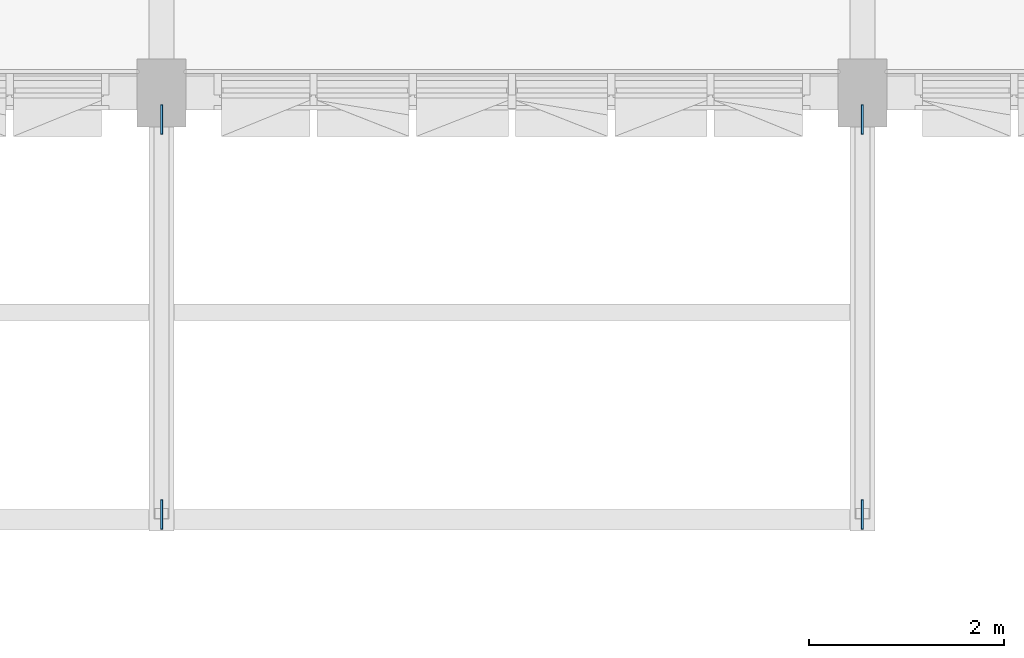
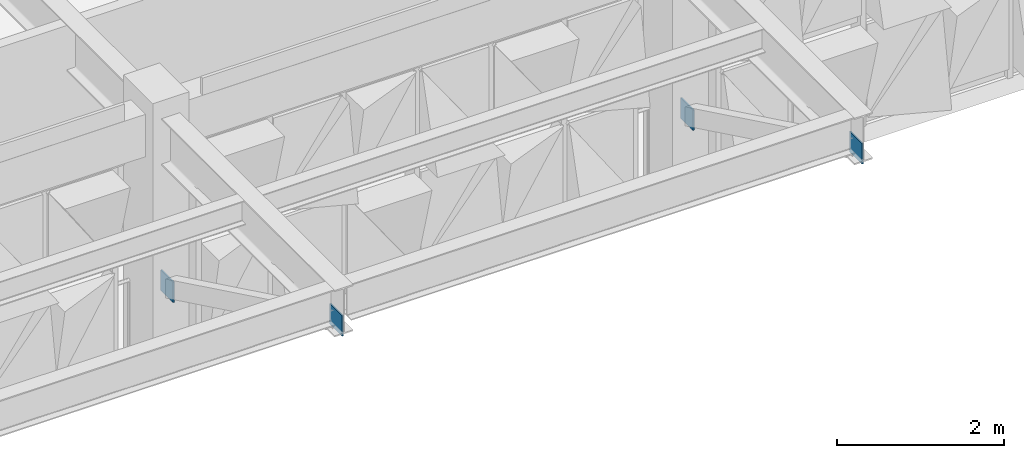
# One storey, part 41 of 88: 4 plates.
"""IFC4 building model written with IfcOpenShell, lengths in metres."""

from ifc_helpers import new_model, si_unit, direction, frame, origin, place, context, subcontext, project, spatial, polyline, outline, extrude, material, layer, layer_set, type_object, element, save


model = new_model("IFC4")

# Units and contexts
model_context = context("Model", 3, precision=1e-05, world=origin(), true_north=direction((0.0, 1.0)))
body_context = subcontext(model_context, "Body", "Model", "MODEL_VIEW")
ifc_project = project(units=[si_unit("LENGTHUNIT", "METRE"), si_unit("AREAUNIT", "SQUARE_METRE"), si_unit("VOLUMEUNIT", "CUBIC_METRE"), si_unit("PLANEANGLEUNIT", "RADIAN"), si_unit("MASSUNIT", "GRAM", prefix="KILO")], contexts=[model_context])

# Site, building, storey
site_placement = place(None, origin())
site = spatial("IfcSite", under=ifc_project, at=site_placement, CompositionType="ELEMENT")
building_placement = place(site_placement, origin())
building = spatial("IfcBuilding", under=site, at=building_placement, Name="Alvorim Cloister Faculty of Sciences", CompositionType="ELEMENT")
storey_placement = place(building_placement, frame((0.0, 0.0, 4.5)))
storey = spatial("IfcBuildingStorey", under=building, at=storey_placement, Name="L01", CompositionType="ELEMENT", Elevation=4.5)

# Plates
ifc_material = material(Name="Steel ASTM A572 Grade 50", Category="steel")
ifc_layer = layer(ifc_material, 0.02001953125)
ifc_layer_set = layer_set([ifc_layer], Name="Steel ASTM A572 Grade 50")
plate_type = type_object("IfcPlateType", Name="PL-GUS-20", PredefinedType="SHEET", material=ifc_layer_set)
plate_1_placement = place(storey_placement, frame((50.39990234375, 43.0791015625, 1.095703125), z_axis=(0.0, 0.0, 1.0), x_axis=(0.0, -1.0, 0.0)))
element("IfcPlate", 1, at=plate_1_placement, inside=storey, type_object=plate_type, Name="Hollow Steel End Plate ND-02", PredefinedType="SHEET", context=body_context, shape_type="SweptSolid", body=[
    extrude(outline(polyline([(0.0, 0.0), (0.300048828125, 0.0), (0.300048828125, 0.300048828125), (0.0, 0.300048828125), (0.0, 0.0)])), frame((0.0, 0.010009765625, 0.0), z_axis=(0.0, -1.0, 0.0), x_axis=(1.0, 0.0, 0.0)), (0.0, 0.0, 1.0), 0.02001953125),
])
plate_2_placement = place(storey_placement, frame((50.39990234375, 39.02099609375, 3.064453125), z_axis=(0.0, 0.0, 1.0), x_axis=(0.0, -1.0, 0.0)))
element("IfcPlate", 2, at=plate_2_placement, inside=storey, type_object=plate_type, Name="Hollow Steel End Plate ND-02", PredefinedType="SHEET", context=body_context, shape_type="SweptSolid", body=[
    extrude(outline(polyline([(0.0, 0.0), (0.300048828125, 0.0), (0.300048828125, 0.2998046875), (0.0, 0.2998046875), (0.0, 0.0)])), frame((0.0, 0.010009765625, 0.0), z_axis=(0.0, -1.0, 0.0), x_axis=(1.0, 0.0, 0.0)), (0.0, 0.0, 1.0), 0.02001953125),
])
plate_3_placement = place(storey_placement, frame((57.60009765625, 43.0791015625, 1.095703125), z_axis=(0.0, 0.0, 1.0), x_axis=(0.0, -1.0, 0.0)))
element("IfcPlate", 3, at=plate_3_placement, inside=storey, type_object=plate_type, Name="Hollow Steel End Plate ND-02", PredefinedType="SHEET", context=body_context, shape_type="SweptSolid", body=[
    extrude(outline(polyline([(0.0, 0.0), (0.300048828125, 0.0), (0.300048828125, 0.300048828125), (0.0, 0.300048828125), (0.0, 0.0)])), frame((0.0, 0.010009765625, 0.0), z_axis=(0.0, -1.0, 0.0), x_axis=(1.0, 0.0, 0.0)), (0.0, 0.0, 1.0), 0.02001953125),
])
plate_4_placement = place(storey_placement, frame((57.60009765625, 39.02099609375, 3.064453125), z_axis=(0.0, 0.0, 1.0), x_axis=(0.0, -1.0, 0.0)))
element("IfcPlate", 4, at=plate_4_placement, inside=storey, type_object=plate_type, Name="Hollow Steel End Plate ND-02", PredefinedType="SHEET", context=body_context, shape_type="SweptSolid", body=[
    extrude(outline(polyline([(0.0, 0.0), (0.300048828125, 0.0), (0.300048828125, 0.2998046875), (0.0, 0.2998046875), (0.0, 0.0)])), frame((0.0, 0.010009765625, 0.0), z_axis=(0.0, -1.0, 0.0), x_axis=(1.0, 0.0, 0.0)), (0.0, 0.0, 1.0), 0.02001953125),
])

save(model, "model.ifc")
